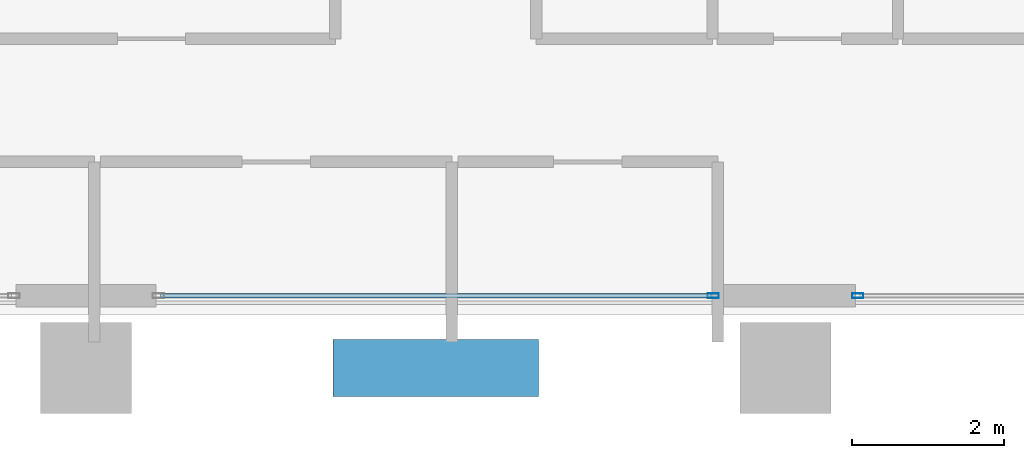
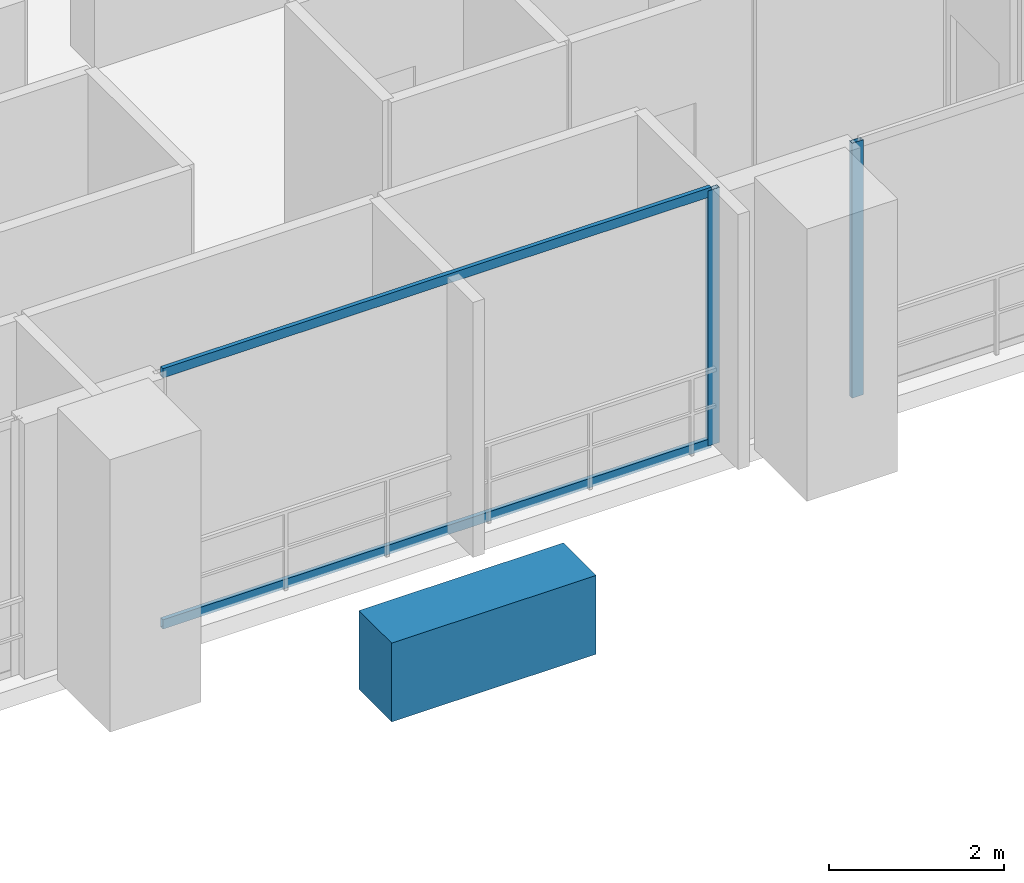
# One storey, part 5 of 26: 4 members, 1 beam, 2 elements without a shape of their own.
"""IFC4 building model written with IfcOpenShell, lengths in metres."""

from ifc_helpers import new_model, si_unit, direction, frame, origin, origin_2d, place, context, subcontext, project, spatial, rectangle, hollow_rectangle, extrude, material, layer, layer_set, material_profile, profile_set, type_object, element, aggregate, save


model = new_model("IFC4")

# Units and contexts
model_context = context("Model", 3, precision=1e-05, world=origin(), true_north=direction((0.0, 1.0)))
body_context = subcontext(model_context, "Body", "Model", "MODEL_VIEW")
ifc_project = project(units=[si_unit("LENGTHUNIT", "METRE"), si_unit("AREAUNIT", "SQUARE_METRE"), si_unit("VOLUMEUNIT", "CUBIC_METRE"), si_unit("PLANEANGLEUNIT", "RADIAN"), si_unit("MASSUNIT", "GRAM", prefix="KILO")], contexts=[model_context])

# Site, building, storey
site_placement = place(None, origin())
site = spatial("IfcSite", under=ifc_project, at=site_placement, CompositionType="ELEMENT")
building_placement = place(site_placement, origin())
building = spatial("IfcBuilding", under=site, at=building_placement, Name="Zuhayl Quay Hotel", CompositionType="ELEMENT")
storey_placement = place(building_placement, frame((0.0, 0.0, 301.050048828125)))
storey = spatial("IfcBuildingStorey", under=building, at=storey_placement, Name="Crown 2", CompositionType="ELEMENT", Elevation=301.050048828125)

# Beam
ifc_material_1 = material(Name="Concrete C60/75", Category="concrete")
ifc_material_profile_1 = material_profile(ifc_material_1, rectangle(XDim=0.75, YDim=1.10009765625, at=origin_2d()), Name="RC750X1100")
ifc_profile_set_1 = profile_set([ifc_material_profile_1], Name="Concrete C60/75")
beam_type = type_object("IfcBeamType", Name="BM_CB2_RC750", PredefinedType="T_BEAM", material=ifc_profile_set_1)
beam_placement = place(storey_placement, frame((-1.35009765625, 2.14990234375, -0.7900390625), z_axis=(1.0, 0.0, 0.0), x_axis=(0.0, 1.0, 0.0)))
element("IfcBeam", 1, at=beam_placement, inside=storey, type_object=beam_type, Name="Crown 2 Core Coupling Beam South", PredefinedType="T_BEAM", context=body_context, shape_type="SweptSolid", body=[
    extrude(rectangle(XDim=0.75, YDim=1.10009765625, at=origin_2d()), origin(), (0.0, 0.0, 1.0), 2.7001953125),
])

# Curtain wall, member
ifc_material_2 = material(Name="Anodised Aluminium 6063-T6", Category="aluminium")
ifc_layer = layer(ifc_material_2, 0.159912109375, Name="Anodised Aluminium 6063-T6", Category="aluminium")
ifc_layer_set = layer_set([ifc_layer], Name="Anodised Aluminium 6063-T6")
curtain_wall_type = type_object("IfcCurtainWallType", Name="CW_SYS_CRN", PredefinedType="USERDEFINED", material=ifc_layer_set)
curtain_wall_1_placement = place(storey_placement, origin())
curtain_wall_1 = element("IfcCurtainWall", 2, at=curtain_wall_1_placement, inside=storey, type_object=curtain_wall_type, Name="Crown 2 Curtain Wall ENV_CR2_E7_CW1", ObjectType="UNITISED CURTAIN WALL", PredefinedType="USERDEFINED")
ifc_material_3 = material(Name="Black-anodised aluminium 6063-T6", Category="aluminium")
ifc_material_profile_2 = material_profile(ifc_material_3, hollow_rectangle(XDim=0.06005859375, YDim=0.14990234375, WallThickness=0.00341796875, at=origin_2d()), Name="ALU150X60")
ifc_profile_set_2 = profile_set([ifc_material_profile_2], Name="Black-anodised aluminium 6063-T6")
member_type_1 = type_object("IfcMemberType", Name="MB_CW_MUL_150", PredefinedType="MULLION", material=ifc_profile_set_2)
member_1_placement = place(storey_placement, frame((5.550048828125, 3.10009765625, 0.0), z_axis=(0.0, 0.0, 1.0), x_axis=(0.0, -1.0, 0.0)))
member_1 = element("IfcMember", 3, at=member_1_placement, type_object=member_type_1, Name="CW-CRN mullion 3", PredefinedType="MULLION", context=body_context, shape_type="SweptSolid", body=[
    extrude(hollow_rectangle(XDim=0.06005859375, YDim=0.14990234375, WallThickness=0.00341796875, at=origin_2d()), origin(), (0.0, 0.0, 1.0), 3.56005859375),
])
aggregate(curtain_wall_1, [member_1])

# Curtain wall, members
curtain_wall_2_placement = place(storey_placement, origin())
curtain_wall_2 = element("IfcCurtainWall", 4, at=curtain_wall_2_placement, inside=storey, type_object=curtain_wall_type, Name="Crown 2 Curtain Wall ENV_CR2_E7_CW2", ObjectType="UNITISED CURTAIN WALL", PredefinedType="USERDEFINED")
member_2_placement = place(storey_placement, frame((3.64990234375, 3.10009765625, 0.0), z_axis=(0.0, 0.0, 1.0), x_axis=(0.0, -1.0, 0.0)))
member_2 = element("IfcMember", 5, at=member_2_placement, type_object=member_type_1, Name="CW-CRN mullion 1", PredefinedType="MULLION", context=body_context, shape_type="SweptSolid", body=[
    extrude(hollow_rectangle(XDim=0.06005859375, YDim=0.14990234375, WallThickness=0.00341796875, at=origin_2d()), origin(), (0.0, 0.0, 1.0), 3.56005859375),
])
ifc_material_profile_3 = material_profile(ifc_material_3, hollow_rectangle(XDim=0.054931640625, YDim=0.1298828125, WallThickness=0.0029296875, at=origin_2d()), Name="ALU130X55")
ifc_profile_set_3 = profile_set([ifc_material_profile_3], Name="Black-anodised aluminium 6063-T6")
member_type_2 = type_object("IfcMemberType", Name="MB_CW_TRN_130", PredefinedType="USERDEFINED", material=ifc_profile_set_3)
member_3_placement = place(storey_placement, frame((3.6201171875, 3.10009765625, 0.02734375), z_axis=(-1.0, 0.0, 0.0), x_axis=(0.0, -1.0, 0.0)))
member_3 = element("IfcMember", 6, at=member_3_placement, type_object=member_type_2, Name="CW-CRN transom 1.1", ObjectType="TRANSOM", PredefinedType="USERDEFINED", context=body_context, shape_type="SweptSolid", body=[
    extrude(hollow_rectangle(XDim=0.054931640625, YDim=0.1298828125, WallThickness=0.0029296875, at=origin_2d()), origin(), (0.0, 0.0, 1.0), 7.240234375),
])
member_4_placement = place(storey_placement, frame((3.6201171875, 3.10009765625, 3.532470703125), z_axis=(-1.0, 0.0, 0.0), x_axis=(0.0, -1.0, 0.0)))
member_4 = element("IfcMember", 7, at=member_4_placement, type_object=member_type_2, Name="CW-CRN transom 1.2", ObjectType="TRANSOM", PredefinedType="USERDEFINED", context=body_context, shape_type="SweptSolid", body=[
    extrude(hollow_rectangle(XDim=0.054931640625, YDim=0.1298828125, WallThickness=0.0029296875, at=origin_2d()), origin(), (0.0, 0.0, 1.0), 7.240234375),
])
aggregate(curtain_wall_2, [member_2, member_3, member_4])

save(model, "model.ifc")
